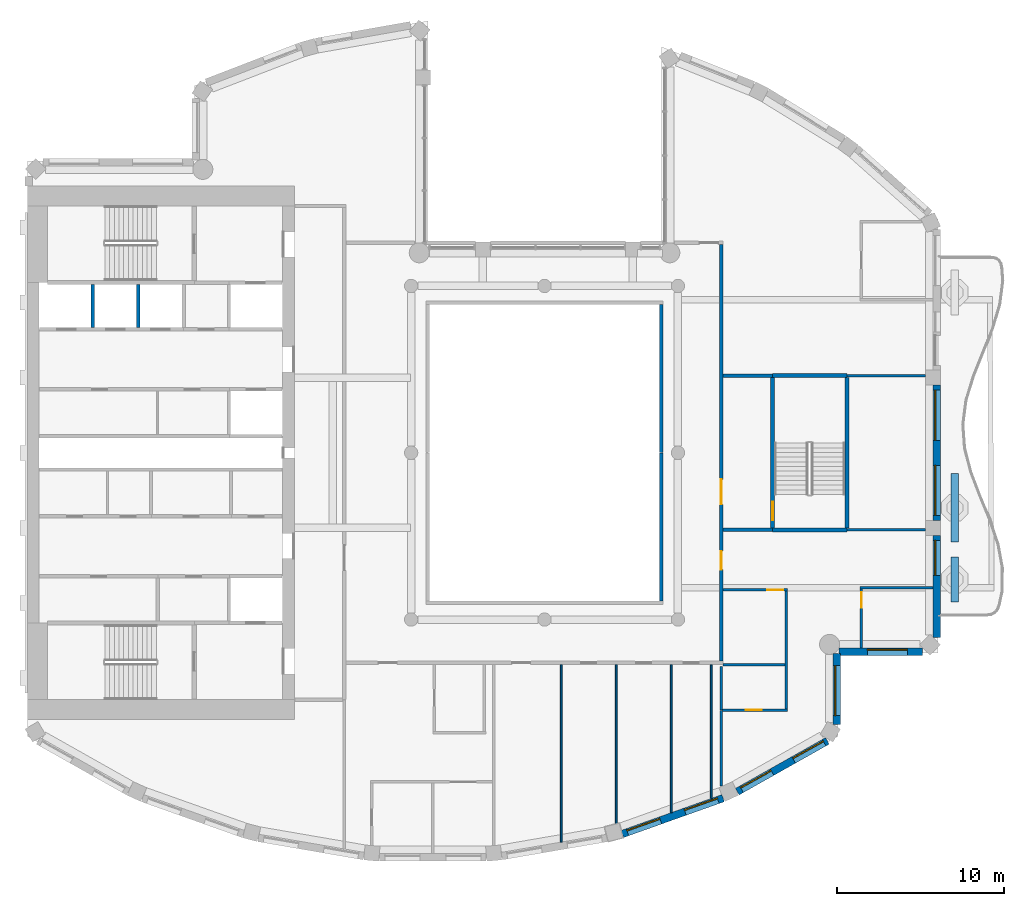
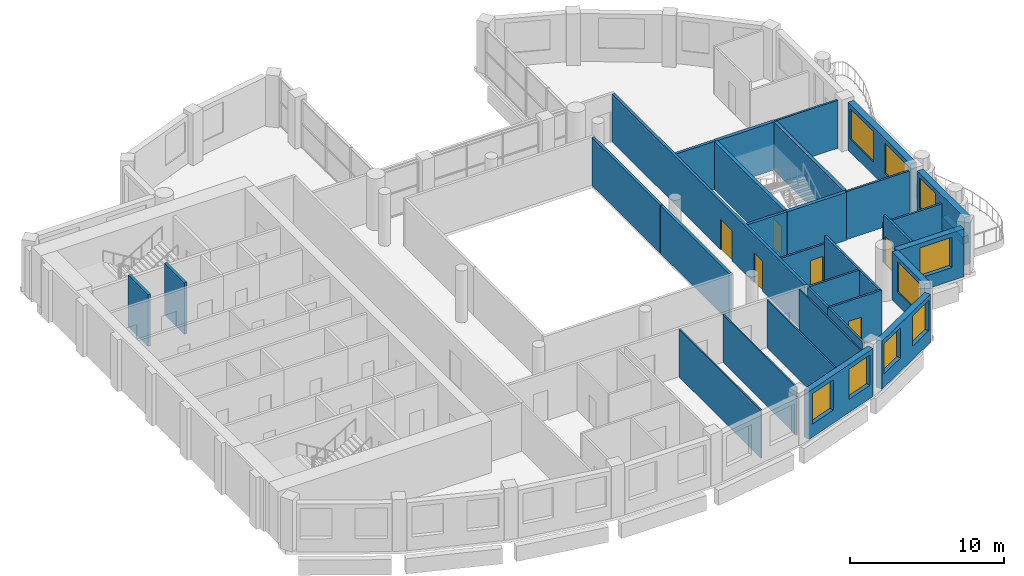
# One storey, part 6 of 15: 33 walls, 9 windows, 6 doors, 15 openings.
"""IFC4 building model written with IfcOpenShell, lengths in metres."""

from ifc_helpers import new_model, si_unit, direction, frame, frame_2d, origin, place, context, subcontext, project, spatial, rectangle, extrude, material, layer, layer_set, type_object, element, fill, save


model = new_model("IFC4")

# Units and contexts
model_context = context("Model", 3, precision=1e-05, world=origin(), true_north=direction((0.0, 1.0)))
body_context = subcontext(model_context, "Body", "Model", "MODEL_VIEW")
ifc_project = project(units=[si_unit("LENGTHUNIT", "METRE"), si_unit("AREAUNIT", "SQUARE_METRE"), si_unit("VOLUMEUNIT", "CUBIC_METRE"), si_unit("PLANEANGLEUNIT", "RADIAN"), si_unit("MASSUNIT", "GRAM", prefix="KILO")], contexts=[model_context])

# Site, building, storey
site_placement = place(None, origin())
site = spatial("IfcSite", under=ifc_project, at=site_placement, CompositionType="ELEMENT")
building_placement = place(site_placement, origin())
building = spatial("IfcBuilding", under=site, at=building_placement, Name="Cypress Arch Tower", CompositionType="ELEMENT")
storey_placement = place(building_placement, frame((0.0, 0.0, 317.199951171875)))
storey = spatial("IfcBuildingStorey", under=building, at=storey_placement, Name="L72", CompositionType="ELEMENT", Elevation=317.199951171875)

# Walls
ifc_material_1 = material(Name="Concrete C40/50, waterproofed", Category="concrete")
ifc_layer_1 = layer(ifc_material_1, 0.449951171875)
ifc_layer_set_1 = layer_set([ifc_layer_1], Name="Balcony planter wall PW450")
wall_type_1 = type_object("IfcWallType", Name="Balcony planter wall PW450", PredefinedType="SOLIDWALL", material=ifc_layer_set_1)
wall_1_placement = place(storey_placement, frame((25.60009765625, -8.949951171875, 0.0), z_axis=(0.0, 0.0, 1.0), x_axis=(0.0, 1.0, 0.0)))
element("IfcWall", 1, at=wall_1_placement, inside=storey, type_object=wall_type_1, Name="Balcony planter wall L72-C17.1", PredefinedType="SOLIDWALL", context=body_context, shape_type="SweptSolid", body=[
    extrude(rectangle(XDim=2.699951171875, YDim=0.449951171875, at=frame_2d((1.35009765625, 0.0))), origin(), (0.0, 0.0, 1.0), 0.60009765625),
])
wall_2_placement = place(storey_placement, frame((25.60009765625, -5.35009765625, 0.0), z_axis=(0.0, 0.0, 1.0), x_axis=(0.0, 1.0, 0.0)))
element("IfcWall", 2, at=wall_2_placement, inside=storey, type_object=wall_type_1, Name="Balcony planter wall L72-C17.2", PredefinedType="SOLIDWALL", context=body_context, shape_type="SweptSolid", body=[
    extrude(rectangle(XDim=4.10009765625, YDim=0.449951171875, at=frame_2d((2.050048828125, 0.0))), origin(), (0.0, 0.0, 1.0), 0.60009765625),
])

# Wall, openings, windows
ifc_material_2 = material(Name="Brick (red buff blend)", Category="masonry")
ifc_layer_2 = layer(ifc_material_2, 0.449951171875)
ifc_layer_set_2 = layer_set([ifc_layer_2], Name="Brick pier and spandrel wall BW450")
wall_type_2 = type_object("IfcWallType", Name="Brick pier and spandrel wall BW450", PredefinedType="SOLIDWALL", material=ifc_layer_set_2)
wall_3_placement = place(storey_placement, frame((5.66455078125, -22.859375, 0.0), z_axis=(0.0, 0.0, 1.0), x_axis=(0.942108340262, 0.335308626803, 0.0)))
wall_3 = element("IfcWall", 3, at=wall_3_placement, inside=storey, type_object=wall_type_2, Name="Brick wall L72 C13.0", PredefinedType="SOLIDWALL", context=body_context, shape_type="SweptSolid", body=[
    extrude(rectangle(XDim=6.41162109375, YDim=0.449951171875, at=frame_2d((3.205810546875, 0.0))), origin(), (0.0, 0.0, 1.0), 3.800048828125),
])
opening_1_placement = place(wall_3_placement, frame((0.3271484375, 0.0, 1.050048828125)))
opening_1 = element("IfcOpeningElement", 4, at=opening_1_placement, cuts=wall_3, Name="Opening W210O", PredefinedType="OPENING", context=body_context, shape_type="SweptSolid", body=[
    extrude(rectangle(XDim=2.10009765625, YDim=2.39990234375, at=frame_2d((1.050048828125, 1.199951171875))), frame((0.0, 0.23486328125, 0.0), z_axis=(0.0, -1.0, 0.0), x_axis=(1.0, 0.0, 0.0)), (0.0, 0.0, 1.0), 0.469970703125),
])
opening_2_placement = place(wall_3_placement, frame((3.984619140625, 0.0, 1.050048828125)))
opening_2 = element("IfcOpeningElement", 5, at=opening_2_placement, cuts=wall_3, Name="Opening W210O", PredefinedType="OPENING", context=body_context, shape_type="SweptSolid", body=[
    extrude(rectangle(XDim=2.10009765625, YDim=2.39990234375, at=frame_2d((1.050048828125, 1.199951171875))), frame((0.0, 0.23486328125, 0.0), z_axis=(0.0, -1.0, 0.0), x_axis=(1.0, 0.0, 0.0)), (0.0, 0.0, 1.0), 0.469970703125),
])
ifc_material_3 = material(Name="Anodised aluminium, bronze finish, clear low-emissivity double glazing", Category="aluminium")
window_type_1 = type_object("IfcWindowType", Name="Window Office 2100x2400", PartitioningType="SINGLE_PANEL", PredefinedType="WINDOW", material=ifc_material_3)
window_1_placement = place(opening_1_placement, origin())
window_1 = element("IfcWindow", 6, at=window_1_placement, inside=storey, type_object=window_type_1, Name="Window L72 C13.0.1", OverallHeight=2.39990234375, OverallWidth=2.10009765625, PartitioningType="SINGLE_PANEL", PredefinedType="WINDOW", context=body_context, shape_type="SweptSolid", body=[
    extrude(rectangle(XDim=2.10009765625, YDim=2.39990234375, at=frame_2d((1.050048828125, 1.199951171875))), frame((0.0, 0.135009765625, 0.0), z_axis=(0.0, -1.0, 0.0), x_axis=(1.0, 0.0, 0.0)), (0.0, 0.0, 1.0), 0.06005859375),
])
fill(opening_1, window_1)
window_2_placement = place(opening_2_placement, origin())
window_2 = element("IfcWindow", 7, at=window_2_placement, inside=storey, type_object=window_type_1, Name="Window L72 C13.0.2", OverallHeight=2.39990234375, OverallWidth=2.10009765625, PartitioningType="SINGLE_PANEL", PredefinedType="WINDOW", context=body_context, shape_type="SweptSolid", body=[
    extrude(rectangle(XDim=2.10009765625, YDim=2.39990234375, at=frame_2d((1.050048828125, 1.199951171875))), frame((0.0, 0.135009765625, 0.0), z_axis=(0.0, -1.0, 0.0), x_axis=(1.0, 0.0, 0.0)), (0.0, 0.0, 1.0), 0.06005859375),
])
fill(opening_2, window_2)

wall_4_placement = place(storey_placement, frame((12.55908203125, -20.320068359375, 0.0), z_axis=(0.0, 0.0, 1.0), x_axis=(0.871065783524, 0.491166367714, 0.0)))
wall_4 = element("IfcWall", 8, at=wall_4_placement, inside=storey, type_object=wall_type_2, Name="Brick wall L72 C14.0", PredefinedType="SOLIDWALL", context=body_context, shape_type="SweptSolid", body=[
    extrude(rectangle(XDim=6.1962890625, YDim=0.449951171875, at=frame_2d((3.09814453125, 0.0))), origin(), (0.0, 0.0, 1.0), 3.800048828125),
])
opening_3_placement = place(wall_4_placement, frame((0.29052734375, 0.0, 1.050048828125)))
opening_3 = element("IfcOpeningElement", 9, at=opening_3_placement, cuts=wall_4, Name="Opening W210O", PredefinedType="OPENING", context=body_context, shape_type="SweptSolid", body=[
    extrude(rectangle(XDim=2.10009765625, YDim=2.39990234375, at=frame_2d((1.050048828125, 1.199951171875))), frame((0.0, 0.23486328125, 0.0), z_axis=(0.0, -1.0, 0.0), x_axis=(1.0, 0.0, 0.0)), (0.0, 0.0, 1.0), 0.469970703125),
])
opening_4_placement = place(wall_4_placement, frame((3.875244140625, 0.0, 1.050048828125)))
opening_4 = element("IfcOpeningElement", 10, at=opening_4_placement, cuts=wall_4, Name="Opening W210O", PredefinedType="OPENING", context=body_context, shape_type="SweptSolid", body=[
    extrude(rectangle(XDim=2.10009765625, YDim=2.39990234375, at=frame_2d((1.050048828125, 1.199951171875))), frame((0.0, 0.23486328125, 0.0), z_axis=(0.0, -1.0, 0.0), x_axis=(1.0, 0.0, 0.0)), (0.0, 0.0, 1.0), 0.469970703125),
])
window_3_placement = place(opening_3_placement, origin())
window_3 = element("IfcWindow", 11, at=window_3_placement, inside=storey, type_object=window_type_1, Name="Window L72 C14.0.1", OverallHeight=2.39990234375, OverallWidth=2.10009765625, PartitioningType="SINGLE_PANEL", PredefinedType="WINDOW", context=body_context, shape_type="SweptSolid", body=[
    extrude(rectangle(XDim=2.10009765625, YDim=2.39990234375, at=frame_2d((1.050048828125, 1.199951171875))), frame((0.0, 0.135009765625, 0.0), z_axis=(0.0, -1.0, 0.0), x_axis=(1.0, 0.0, 0.0)), (0.0, 0.0, 1.0), 0.06005859375),
])
fill(opening_3, window_3)
window_4_placement = place(opening_4_placement, origin())
window_4 = element("IfcWindow", 12, at=window_4_placement, inside=storey, type_object=window_type_1, Name="Window L72 C14.0.2", OverallHeight=2.39990234375, OverallWidth=2.10009765625, PartitioningType="SINGLE_PANEL", PredefinedType="WINDOW", context=body_context, shape_type="SweptSolid", body=[
    extrude(rectangle(XDim=2.10009765625, YDim=2.39990234375, at=frame_2d((1.050048828125, 1.199951171875))), frame((0.0, 0.135009765625, 0.0), z_axis=(0.0, -1.0, 0.0), x_axis=(1.0, 0.0, 0.0)), (0.0, 0.0, 1.0), 0.06005859375),
])
fill(opening_4, window_4)

# Wall, opening, window
wall_5_placement = place(storey_placement, frame((18.52490234375, -16.3037109375, 0.0), z_axis=(0.0, 0.0, 1.0), x_axis=(0.0, 1.0, 0.0)))
wall_5 = element("IfcWall", 13, at=wall_5_placement, inside=storey, type_object=wall_type_2, Name="Brick wall L72 C15.0", PredefinedType="SOLIDWALL", context=body_context, shape_type="SweptSolid", body=[
    extrude(rectangle(XDim=4.25537109375, YDim=0.449951171875, at=frame_2d((2.127685546875, 0.0))), origin(), (0.0, 0.0, 1.0), 3.800048828125),
])
opening_5_placement = place(wall_5_placement, frame((0.541259765625, 0.0, 1.050048828125)))
opening_5 = element("IfcOpeningElement", 14, at=opening_5_placement, cuts=wall_5, Name="Opening W300O", PredefinedType="OPENING", context=body_context, shape_type="SweptSolid", body=[
    extrude(rectangle(XDim=3.0, YDim=2.39990234375, at=frame_2d((1.5, 1.199951171875))), frame((0.0, 0.23486328125, 0.0), z_axis=(0.0, -1.0, 0.0), x_axis=(1.0, 0.0, 0.0)), (0.0, 0.0, 1.0), 0.469970703125),
])
ifc_material_4 = material(Name="Anodised aluminium, bronze finish, clear low-emissivity double glazing", Category="aluminium")
window_type_2 = type_object("IfcWindowType", Name="Window Office 3000x2400", PartitioningType="SINGLE_PANEL", PredefinedType="WINDOW", material=ifc_material_4)
window_5_placement = place(opening_5_placement, origin())
window_5 = element("IfcWindow", 15, at=window_5_placement, inside=storey, type_object=window_type_2, Name="Window L72 C15.0.1", OverallHeight=2.39990234375, OverallWidth=3.0, PartitioningType="SINGLE_PANEL", PredefinedType="WINDOW", context=body_context, shape_type="SweptSolid", body=[
    extrude(rectangle(XDim=3.0, YDim=2.39990234375, at=frame_2d((1.5, 1.199951171875))), frame((0.0, 0.135009765625, 0.0), z_axis=(0.0, -1.0, 0.0), x_axis=(1.0, 0.0, 0.0)), (0.0, 0.0, 1.0), 0.06005859375),
])
fill(opening_5, window_5)

wall_6_placement = place(storey_placement, frame((18.6484375, -11.925048828125, 0.0), z_axis=(0.0, 0.0, 1.0), x_axis=(1.0, 0.0, 0.0)))
wall_6 = element("IfcWall", 16, at=wall_6_placement, inside=storey, type_object=wall_type_2, Name="Brick wall L72 C16.0", PredefinedType="SOLIDWALL", context=body_context, shape_type="SweptSolid", body=[
    extrude(rectangle(XDim=5.01513671875, YDim=0.449951171875, at=frame_2d((2.507568359375, 0.0))), origin(), (0.0, 0.0, 1.0), 3.800048828125),
])
opening_6_placement = place(wall_6_placement, frame((1.70166015625, 0.0, 1.050048828125)))
opening_6 = element("IfcOpeningElement", 17, at=opening_6_placement, cuts=wall_6, Name="Opening W240O", PredefinedType="OPENING", context=body_context, shape_type="SweptSolid", body=[
    extrude(rectangle(XDim=2.39990234375, YDim=2.39990234375, at=frame_2d((1.199951171875, 1.199951171875))), frame((0.0, 0.23486328125, 0.0), z_axis=(0.0, -1.0, 0.0), x_axis=(1.0, 0.0, 0.0)), (0.0, 0.0, 1.0), 0.469970703125),
])
ifc_material_5 = material(Name="Anodised aluminium, bronze finish, clear low-emissivity double glazing", Category="aluminium")
window_type_3 = type_object("IfcWindowType", Name="Window Office 2400x2400", PartitioningType="SINGLE_PANEL", PredefinedType="WINDOW", material=ifc_material_5)
window_6_placement = place(opening_6_placement, origin())
window_6 = element("IfcWindow", 18, at=window_6_placement, inside=storey, type_object=window_type_3, Name="Window L72 C16.0.1", OverallHeight=2.39990234375, OverallWidth=2.39990234375, PartitioningType="SINGLE_PANEL", PredefinedType="WINDOW", context=body_context, shape_type="SweptSolid", body=[
    extrude(rectangle(XDim=2.39990234375, YDim=2.39990234375, at=frame_2d((1.199951171875, 1.199951171875))), frame((0.0, 0.135009765625, 0.0), z_axis=(0.0, -1.0, 0.0), x_axis=(1.0, 0.0, 0.0)), (0.0, 0.0, 1.0), 0.06005859375),
])
fill(opening_6, window_6)

wall_7_placement = place(storey_placement, frame((24.52490234375, -11.063720703125, 0.0), z_axis=(0.0, 0.0, 1.0), x_axis=(0.0, 1.0, 0.0)))
wall_7 = element("IfcWall", 19, at=wall_7_placement, inside=storey, type_object=wall_type_2, Name="Brick wall L72 C17.0", PredefinedType="SOLIDWALL", context=body_context, shape_type="SweptSolid", body=[
    extrude(rectangle(XDim=6.11376953125, YDim=0.449951171875, at=frame_2d((3.056884765625, 0.0))), origin(), (0.0, 0.0, 1.0), 3.800048828125),
])
opening_7_placement = place(wall_7_placement, frame((3.713623046875, 0.0, 1.050048828125)))
opening_7 = element("IfcOpeningElement", 20, at=opening_7_placement, cuts=wall_7, Name="Opening W210OD", PredefinedType="OPENING", context=body_context, shape_type="SweptSolid", body=[
    extrude(rectangle(XDim=2.10009765625, YDim=2.39990234375, at=frame_2d((1.050048828125, 1.199951171875))), frame((0.0, 0.23486328125, 0.0), z_axis=(0.0, -1.0, 0.0), x_axis=(1.0, 0.0, 0.0)), (0.0, 0.0, 1.0), 0.469970703125),
])
ifc_material_6 = material(Name="Anodised aluminium, bronze finish, laminated low-emissivity double glazing, large-missile impact rated", Category="aluminium")
window_type_4 = type_object("IfcWindowType", Name="Window Office 2100x2400 debris-rated", PartitioningType="SINGLE_PANEL", PredefinedType="WINDOW", material=ifc_material_6)
window_7_placement = place(opening_7_placement, origin())
window_7 = element("IfcWindow", 21, at=window_7_placement, inside=storey, type_object=window_type_4, Name="Window L72 C17.0.2", OverallHeight=2.39990234375, OverallWidth=2.10009765625, PartitioningType="SINGLE_PANEL", PredefinedType="WINDOW", context=body_context, shape_type="SweptSolid", body=[
    extrude(rectangle(XDim=2.10009765625, YDim=2.39990234375, at=frame_2d((1.050048828125, 1.199951171875))), frame((0.0, 0.135009765625, 0.0), z_axis=(0.0, -1.0, 0.0), x_axis=(1.0, 0.0, 0.0)), (0.0, 0.0, 1.0), 0.06005859375),
])
fill(opening_7, window_7)

# Wall, openings, windows
wall_8_placement = place(storey_placement, frame((24.52490234375, -4.050048828125, 0.0), z_axis=(0.0, 0.0, 1.0), x_axis=(0.0, 1.0, 0.0)))
wall_8 = element("IfcWall", 22, at=wall_8_placement, inside=storey, type_object=wall_type_2, Name="Brick wall L72 C17.1", PredefinedType="SOLIDWALL", context=body_context, shape_type="SweptSolid", body=[
    extrude(rectangle(XDim=8.10009765625, YDim=0.449951171875, at=frame_2d((4.050048828125, 0.0))), origin(), (0.0, 0.0, 1.0), 3.800048828125),
])
opening_8_placement = place(wall_8_placement, frame((0.300048828125, 0.0, 1.050048828125)))
opening_8 = element("IfcOpeningElement", 23, at=opening_8_placement, cuts=wall_8, Name="Opening W300OD", PredefinedType="OPENING", context=body_context, shape_type="SweptSolid", body=[
    extrude(rectangle(XDim=3.0, YDim=2.39990234375, at=frame_2d((1.5, 1.199951171875))), frame((0.0, 0.23486328125, 0.0), z_axis=(0.0, -1.0, 0.0), x_axis=(1.0, 0.0, 0.0)), (0.0, 0.0, 1.0), 0.469970703125),
])
opening_9_placement = place(wall_8_placement, frame((4.800048828125, 0.0, 1.050048828125)))
opening_9 = element("IfcOpeningElement", 24, at=opening_9_placement, cuts=wall_8, Name="Opening W300OD", PredefinedType="OPENING", context=body_context, shape_type="SweptSolid", body=[
    extrude(rectangle(XDim=3.0, YDim=2.39990234375, at=frame_2d((1.5, 1.199951171875))), frame((0.0, 0.23486328125, 0.0), z_axis=(0.0, -1.0, 0.0), x_axis=(1.0, 0.0, 0.0)), (0.0, 0.0, 1.0), 0.469970703125),
])
ifc_material_7 = material(Name="Anodised aluminium, bronze finish, laminated low-emissivity double glazing, large-missile impact rated", Category="aluminium")
window_type_5 = type_object("IfcWindowType", Name="Window Office 3000x2400 debris-rated", PartitioningType="SINGLE_PANEL", PredefinedType="WINDOW", material=ifc_material_7)
window_8_placement = place(opening_8_placement, origin())
window_8 = element("IfcWindow", 25, at=window_8_placement, inside=storey, type_object=window_type_5, Name="Window L72 C17.1.1", OverallHeight=2.39990234375, OverallWidth=3.0, PartitioningType="SINGLE_PANEL", PredefinedType="WINDOW", context=body_context, shape_type="SweptSolid", body=[
    extrude(rectangle(XDim=3.0, YDim=2.39990234375, at=frame_2d((1.5, 1.199951171875))), frame((0.0, 0.135009765625, 0.0), z_axis=(0.0, -1.0, 0.0), x_axis=(1.0, 0.0, 0.0)), (0.0, 0.0, 1.0), 0.06005859375),
])
fill(opening_8, window_8)
window_9_placement = place(opening_9_placement, origin())
window_9 = element("IfcWindow", 26, at=window_9_placement, inside=storey, type_object=window_type_5, Name="Window L72 C17.1.2", OverallHeight=2.39990234375, OverallWidth=3.0, PartitioningType="SINGLE_PANEL", PredefinedType="WINDOW", context=body_context, shape_type="SweptSolid", body=[
    extrude(rectangle(XDim=3.0, YDim=2.39990234375, at=frame_2d((1.5, 1.199951171875))), frame((0.0, 0.135009765625, 0.0), z_axis=(0.0, -1.0, 0.0), x_axis=(1.0, 0.0, 0.0)), (0.0, 0.0, 1.0), 0.06005859375),
])
fill(opening_9, window_9)

# Walls
ifc_material_8 = material(Name="Concrete blockwork, plastered, rated", Category="masonry")
ifc_layer_3 = layer(ifc_material_8, 0.199951171875)
ifc_layer_set_3 = layer_set([ifc_layer_3], Name="Corridor wall FW200")
wall_type_3 = type_object("IfcWallType", Name="Corridor wall FW200", PredefinedType="PARTITIONING", material=ifc_layer_set_3)
for number, where, z_axis, x_axis, name in (
    (27, (8.0, -8.89990234375, 0.0), (0.0, 0.0, 1.0), (0.0, 1.0, 0.0), "Corridor wall"),
    (28, (8.0, 0.02001953125, 0.0), (0.0, 0.0, 1.0), (0.0, 1.0, 0.0), "Corridor wall"),
):
    element("IfcWall", number, at=place(storey_placement, frame(where, z_axis=z_axis, x_axis=x_axis)), inside=storey, type_object=wall_type_3, Name=name, PredefinedType="PARTITIONING", context=body_context, shape_type="SweptSolid", body=[
        extrude(rectangle(XDim=8.8798828125, YDim=0.199951171875, at=frame_2d((4.43994140625, 0.0))), origin(), (0.0, 0.0, 1.0), 3.800048828125),
    ])

# Wall, openings, doors
wall_9_placement = place(storey_placement, frame((11.60009765625, -12.5, 0.0), z_axis=(0.0, 0.0, 1.0), x_axis=(0.0, 1.0, 0.0)))
wall_9 = element("IfcWall", 29, at=wall_9_placement, inside=storey, type_object=wall_type_3, Name="Corridor wall", PredefinedType="PARTITIONING", context=body_context, shape_type="SweptSolid", body=[
    extrude(rectangle(XDim=25.0, YDim=0.199951171875, at=frame_2d((12.5, 0.0))), origin(), (0.0, 0.0, 1.0), 3.800048828125),
])
opening_10_placement = place(wall_9_placement, frame((9.39990234375, 0.0, 0.0)))
opening_10 = element("IfcOpeningElement", 30, at=opening_10_placement, cuts=wall_9, Name="Opening D07", PredefinedType="OPENING", context=body_context, shape_type="SweptSolid", body=[
    extrude(rectangle(XDim=1.5, YDim=2.39990234375, at=frame_2d((0.75, 1.199951171875))), frame((0.0, 0.10986328125, 0.0), z_axis=(0.0, -1.0, 0.0), x_axis=(1.0, 0.0, 0.0)), (0.0, 0.0, 1.0), 0.219970703125),
])
opening_11_placement = place(wall_9_placement, frame((5.5, 0.0, 0.0)))
opening_11 = element("IfcOpeningElement", 31, at=opening_11_placement, cuts=wall_9, Name="Opening D01", PredefinedType="OPENING", context=body_context, shape_type="SweptSolid", body=[
    extrude(rectangle(XDim=1.10009765625, YDim=2.39990234375, at=frame_2d((0.550048828125, 1.199951171875))), frame((0.0, 0.10986328125, 0.0), z_axis=(0.0, -1.0, 0.0), x_axis=(1.0, 0.0, 0.0)), (0.0, 0.0, 1.0), 0.219970703125),
])
ifc_material_9 = material(Name="Steel framed glazed door, fire resisting", Category="steel")
door_type_1 = type_object("IfcDoorType", Name="Lobby door D07 1500x2400", OperationType="DOUBLE_DOOR_SINGLE_SWING", PredefinedType="DOOR", material=ifc_material_9)
door_1_placement = place(opening_10_placement, origin())
door_1 = element("IfcDoor", 32, at=door_1_placement, inside=storey, type_object=door_type_1, Name="Lobby door", OperationType="DOUBLE_DOOR_SINGLE_SWING", OverallHeight=2.39990234375, OverallWidth=1.5, PredefinedType="DOOR", context=body_context, shape_type="SweptSolid", body=[
    extrude(rectangle(XDim=1.5, YDim=2.39990234375, at=frame_2d((0.75, 1.199951171875))), frame((0.0, 0.02490234375, 0.0), z_axis=(0.0, -1.0, 0.0), x_axis=(1.0, 0.0, 0.0)), (0.0, 0.0, 1.0), 0.050048828125),
])
fill(opening_10, door_1)
ifc_material_10 = material(Name="Timber flush door, fire resisting, self-closing", Category="wood")
door_type_2 = type_object("IfcDoorType", Name="Unit entrance door D01 1100x2400", OperationType="SINGLE_SWING_LEFT", PredefinedType="DOOR", material=ifc_material_10)
door_2_placement = place(opening_11_placement, origin())
door_2 = element("IfcDoor", 33, at=door_2_placement, inside=storey, type_object=door_type_2, Name="Unit entrance door", OperationType="SINGLE_SWING_RIGHT", OverallHeight=2.39990234375, OverallWidth=1.10009765625, PredefinedType="DOOR", context=body_context, shape_type="SweptSolid", body=[
    extrude(rectangle(XDim=1.10009765625, YDim=2.39990234375, at=frame_2d((0.550048828125, 1.199951171875))), frame((0.0, 0.02490234375, 0.0), z_axis=(0.0, -1.0, 0.0), x_axis=(1.0, 0.0, 0.0)), (0.0, 0.0, 1.0), 0.050048828125),
])
fill(opening_11, door_2)

# Walls
for number, where, z_axis, x_axis, name in (
    (34, (11.699951171875, -4.625, 0.0), (0.0, 0.0, 1.0), (1.0, 0.0, 0.0), "Corridor wall"),
    (35, (11.699951171875, 4.625, 0.0), (0.0, 0.0, 1.0), (1.0, 0.0, 0.0), "Corridor wall"),
):
    element("IfcWall", number, at=place(storey_placement, frame(where, z_axis=z_axis, x_axis=x_axis)), inside=storey, type_object=wall_type_3, Name=name, PredefinedType="PARTITIONING", context=body_context, shape_type="SweptSolid", body=[
        extrude(rectangle(XDim=2.97509765625, YDim=0.199951171875, at=frame_2d((1.487548828125, 0.0))), origin(), (0.0, 0.0, 1.0), 3.800048828125),
    ])
ifc_material_11 = material(Name="Blockwork, plastered both sides", Category="masonry")
ifc_layer_4 = layer(ifc_material_11, 0.14990234375)
ifc_layer_set_4 = layer_set([ifc_layer_4], Name="Partition PW150")
wall_type_4 = type_object("IfcWallType", Name="Partition PW150", PredefinedType="PARTITIONING", material=ifc_layer_set_4)
wall_10_placement = place(storey_placement, frame((11.60009765625, -19.98828125, 0.0), z_axis=(0.0, 0.0, 1.0), x_axis=(0.0, 1.0, 0.0)))
element("IfcWall", 36, at=wall_10_placement, inside=storey, type_object=wall_type_4, Name="Partition", PredefinedType="PARTITIONING", context=body_context, shape_type="SweptSolid", body=[
    extrude(rectangle(XDim=4.543212890625, YDim=0.14990234375, at=frame_2d((2.271484375, 0.0))), origin(), (0.0, 0.0, 1.0), 3.800048828125),
])
wall_11_placement = place(storey_placement, frame((11.60009765625, -15.425048828125, 0.0), z_axis=(0.0, 0.0, 1.0), x_axis=(0.0, 1.0, 0.0)))
element("IfcWall", 37, at=wall_11_placement, inside=storey, type_object=wall_type_4, Name="Partition", PredefinedType="PARTITIONING", context=body_context, shape_type="SweptSolid", body=[
    extrude(rectangle(XDim=2.60498046875, YDim=0.14990234375, at=frame_2d((1.302490234375, 0.0))), origin(), (0.0, 0.0, 1.0), 3.800048828125),
])

# Wall, opening, door
wall_12_placement = place(storey_placement, frame((11.675048828125, -15.425048828125, 0.0), z_axis=(0.0, 0.0, 1.0), x_axis=(1.0, 0.0, 0.0)))
wall_12 = element("IfcWall", 38, at=wall_12_placement, inside=storey, type_object=wall_type_4, Name="Partition", PredefinedType="PARTITIONING", context=body_context, shape_type="SweptSolid", body=[
    extrude(rectangle(XDim=3.89990234375, YDim=0.14990234375, at=frame_2d((1.949951171875, 0.0))), origin(), (0.0, 0.0, 1.0), 3.800048828125),
])
opening_12_placement = place(wall_12_placement, frame((1.39990234375, 0.0, 0.0)))
opening_12 = element("IfcOpeningElement", 39, at=opening_12_placement, cuts=wall_12, Name="Opening D12", PredefinedType="OPENING", context=body_context, shape_type="SweptSolid", body=[
    extrude(rectangle(XDim=0.949951171875, YDim=2.199951171875, at=frame_2d((0.47509765625, 1.10009765625))), frame((0.0, 0.0849609375, 0.0), z_axis=(0.0, -1.0, 0.0), x_axis=(1.0, 0.0, 0.0)), (0.0, 0.0, 1.0), 0.169921875),
])
ifc_material_12 = material(Name="Timber flush door", Category="wood")
door_type_3 = type_object("IfcDoorType", Name="Room door D12 950x2200", OperationType="SINGLE_SWING_LEFT", PredefinedType="DOOR", material=ifc_material_12)
door_3_placement = place(opening_12_placement, origin())
door_3 = element("IfcDoor", 40, at=door_3_placement, inside=storey, type_object=door_type_3, Name="Room door", OperationType="SINGLE_SWING_RIGHT", OverallHeight=2.199951171875, OverallWidth=0.949951171875, PredefinedType="DOOR", context=body_context, shape_type="SweptSolid", body=[
    extrude(rectangle(XDim=0.949951171875, YDim=2.199951171875, at=frame_2d((0.47509765625, 1.10009765625))), frame((0.0, 0.02490234375, 0.0), z_axis=(0.0, -1.0, 0.0), x_axis=(1.0, 0.0, 0.0)), (0.0, 0.0, 1.0), 0.050048828125),
])
fill(opening_12, door_3)

# Wall
wall_13_placement = place(storey_placement, frame((11.699951171875, -12.72509765625, 0.0), z_axis=(0.0, 0.0, 1.0), x_axis=(1.0, 0.0, 0.0)))
element("IfcWall", 41, at=wall_13_placement, inside=storey, type_object=wall_type_4, Name="Partition", PredefinedType="PARTITIONING", context=body_context, shape_type="SweptSolid", body=[
    extrude(rectangle(XDim=3.72509765625, YDim=0.14990234375, at=frame_2d((1.862548828125, 0.0))), origin(), (0.0, 0.0, 1.0), 3.800048828125),
])

# Wall, opening, door
wall_14_placement = place(storey_placement, frame((11.699951171875, -8.22509765625, 0.0), z_axis=(0.0, 0.0, 1.0), x_axis=(1.0, 0.0, 0.0)))
wall_14 = element("IfcWall", 42, at=wall_14_placement, inside=storey, type_object=wall_type_4, Name="Partition", PredefinedType="PARTITIONING", context=body_context, shape_type="SweptSolid", body=[
    extrude(rectangle(XDim=3.875, YDim=0.14990234375, at=frame_2d((1.9375, 0.0))), origin(), (0.0, 0.0, 1.0), 3.150146484375),
])
opening_13_placement = place(wall_14_placement, frame((2.64990234375, 0.0, 0.0)))
opening_13 = element("IfcOpeningElement", 43, at=opening_13_placement, cuts=wall_14, Name="Opening D12", PredefinedType="OPENING", context=body_context, shape_type="SweptSolid", body=[
    extrude(rectangle(XDim=0.949951171875, YDim=2.199951171875, at=frame_2d((0.47509765625, 1.10009765625))), frame((0.0, 0.0849609375, 0.0), z_axis=(0.0, -1.0, 0.0), x_axis=(1.0, 0.0, 0.0)), (0.0, 0.0, 1.0), 0.169921875),
])
door_4_placement = place(opening_13_placement, origin())
door_4 = element("IfcDoor", 44, at=door_4_placement, inside=storey, type_object=door_type_3, Name="Room door", OperationType="SINGLE_SWING_LEFT", OverallHeight=2.199951171875, OverallWidth=0.949951171875, PredefinedType="DOOR", context=body_context, shape_type="SweptSolid", body=[
    extrude(rectangle(XDim=0.949951171875, YDim=2.199951171875, at=frame_2d((0.47509765625, 1.10009765625))), frame((0.0, 0.02490234375, 0.0), z_axis=(0.0, -1.0, 0.0), x_axis=(1.0, 0.0, 0.0)), (0.0, 0.0, 1.0), 0.050048828125),
])
fill(opening_13, door_4)

# Walls
wall_15_placement = place(storey_placement, frame((15.5, -15.35009765625, 0.0), z_axis=(0.0, 0.0, 1.0), x_axis=(0.0, 1.0, 0.0)))
element("IfcWall", 45, at=wall_15_placement, inside=storey, type_object=wall_type_4, Name="Partition", PredefinedType="PARTITIONING", context=body_context, shape_type="SweptSolid", body=[
    extrude(rectangle(XDim=7.050048828125, YDim=0.14990234375, at=frame_2d((3.52490234375, 0.0))), origin(), (0.0, 0.0, 1.0), 3.800048828125),
])
for number, where, z_axis, x_axis, name in (
    (46, (19.14501953125, -4.625, 0.0), (0.0, 0.0, 1.0), (1.0, 0.0, 0.0), "Partition"),
    (47, (19.14501953125, 4.625, 0.0), (0.0, 0.0, 1.0), (1.0, 0.0, 0.0), "Partition"),
):
    element("IfcWall", number, at=place(storey_placement, frame(where, z_axis=z_axis, x_axis=x_axis)), inside=storey, type_object=wall_type_4, Name=name, PredefinedType="PARTITIONING", context=body_context, shape_type="SweptSolid", body=[
        extrude(rectangle(XDim=4.705078125, YDim=0.14990234375, at=frame_2d((2.3525390625, 0.0))), origin(), (0.0, 0.0, 1.0), 3.800048828125),
    ])

# Wall, opening, door
wall_16_placement = place(storey_placement, frame((20.0, -11.699951171875, 0.0), z_axis=(0.0, 0.0, 1.0), x_axis=(0.0, 1.0, 0.0)))
wall_16 = element("IfcWall", 48, at=wall_16_placement, inside=storey, type_object=wall_type_4, Name="Partition", PredefinedType="PARTITIONING", context=body_context, shape_type="SweptSolid", body=[
    extrude(rectangle(XDim=3.52490234375, YDim=0.14990234375, at=frame_2d((1.762451171875, 0.0))), origin(), (0.0, 0.0, 1.0), 3.800048828125),
])
opening_14_placement = place(wall_16_placement, frame((2.39990234375, 0.0, 0.0)))
opening_14 = element("IfcOpeningElement", 49, at=opening_14_placement, cuts=wall_16, Name="Opening D12", PredefinedType="OPENING", context=body_context, shape_type="SweptSolid", body=[
    extrude(rectangle(XDim=0.949951171875, YDim=2.199951171875, at=frame_2d((0.47509765625, 1.10009765625))), frame((0.0, 0.0849609375, 0.0), z_axis=(0.0, -1.0, 0.0), x_axis=(1.0, 0.0, 0.0)), (0.0, 0.0, 1.0), 0.169921875),
])
door_5_placement = place(opening_14_placement, origin())
door_5 = element("IfcDoor", 50, at=door_5_placement, inside=storey, type_object=door_type_3, Name="Room door", OperationType="SINGLE_SWING_RIGHT", OverallHeight=2.199951171875, OverallWidth=0.949951171875, PredefinedType="DOOR", context=body_context, shape_type="SweptSolid", body=[
    extrude(rectangle(XDim=0.949951171875, YDim=2.199951171875, at=frame_2d((0.47509765625, 1.10009765625))), frame((0.0, 0.02490234375, 0.0), z_axis=(0.0, -1.0, 0.0), x_axis=(1.0, 0.0, 0.0)), (0.0, 0.0, 1.0), 0.050048828125),
])
fill(opening_14, door_5)

# Walls
wall_17_placement = place(storey_placement, frame((19.925048828125, -8.10009765625, 0.0), z_axis=(0.0, 0.0, 1.0), x_axis=(1.0, 0.0, 0.0)))
element("IfcWall", 51, at=wall_17_placement, inside=storey, type_object=wall_type_4, Name="Partition", PredefinedType="PARTITIONING", context=body_context, shape_type="SweptSolid", body=[
    extrude(rectangle(XDim=4.375, YDim=0.14990234375, at=frame_2d((2.1875, 0.0))), origin(), (0.0, 0.0, 1.0), 3.150146484375),
])
ifc_material_13 = material(Name="Concrete C50/60", Category="concrete")
ifc_layer_5 = layer(ifc_material_13, 0.199951171875)
ifc_layer_set_5 = layer_set([ifc_layer_5], Name="Shaft wall SH200")
wall_type_5 = type_object("IfcWallType", Name="Shaft wall SH200", PredefinedType="SHEAR", material=ifc_layer_set_5)
for number, where, z_axis, x_axis, name in (
    (52, (-26.080078125, 7.5, 0.0), (0.0, 0.0, 1.0), (0.0, 1.0, 0.0), "Shaft wall"),
    (53, (-23.360107421875, 7.5, 0.0), (0.0, 0.0, 1.0), (0.0, 1.0, 0.0), "Shaft wall"),
):
    element("IfcWall", number, at=place(storey_placement, frame(where, z_axis=z_axis, x_axis=x_axis)), inside=storey, type_object=wall_type_5, Name=name, PredefinedType="SHEAR", context=body_context, shape_type="SweptSolid", body=[
        extrude(rectangle(XDim=2.574951171875, YDim=0.199951171875, at=frame_2d((1.28759765625, 0.0))), origin(), (0.0, 0.0, 1.0), 4.10009765625),
    ])

# Wall, opening, door
ifc_material_14 = material(Name="Concrete C50/60", Category="concrete")
ifc_layer_6 = layer(ifc_material_14, 0.25)
ifc_layer_set_6 = layer_set([ifc_layer_6], Name="Stair enclosure wall SW250")
wall_type_6 = type_object("IfcWallType", Name="Stair enclosure wall SW250", PredefinedType="SHEAR", material=ifc_layer_set_6)
wall_18_placement = place(storey_placement, frame((14.675048828125, -4.5, 0.0), z_axis=(0.0, 0.0, 1.0), x_axis=(0.0, 1.0, 0.0)))
wall_18 = element("IfcWall", 54, at=wall_18_placement, inside=storey, type_object=wall_type_6, Name="Stair enclosure wall", PredefinedType="SHEAR", context=body_context, shape_type="SweptSolid", body=[
    extrude(rectangle(XDim=9.0, YDim=0.25, at=frame_2d((4.5, 0.0))), origin(), (0.0, 0.0, 1.0), 3.800048828125),
])
opening_15_placement = place(wall_18_placement, frame((0.449951171875, 0.0, 0.0)))
opening_15 = element("IfcOpeningElement", 55, at=opening_15_placement, cuts=wall_18, Name="Opening D06", PredefinedType="OPENING", context=body_context, shape_type="SweptSolid", body=[
    extrude(rectangle(XDim=1.10009765625, YDim=2.199951171875, at=frame_2d((0.550048828125, 1.10009765625))), frame((0.0, 0.135009765625, 0.0), z_axis=(0.0, -1.0, 0.0), x_axis=(1.0, 0.0, 0.0)), (0.0, 0.0, 1.0), 0.27001953125),
])
ifc_material_15 = material(Name="Steel door, fire resisting, panic bar", Category="steel")
door_type_4 = type_object("IfcDoorType", Name="Stair door D06 1100x2200", OperationType="SINGLE_SWING_LEFT", PredefinedType="DOOR", material=ifc_material_15)
door_6_placement = place(opening_15_placement, origin())
door_6 = element("IfcDoor", 56, at=door_6_placement, inside=storey, type_object=door_type_4, Name="Stair door", OperationType="SINGLE_SWING_RIGHT", OverallHeight=2.199951171875, OverallWidth=1.10009765625, PredefinedType="DOOR", context=body_context, shape_type="SweptSolid", body=[
    extrude(rectangle(XDim=1.10009765625, YDim=2.199951171875, at=frame_2d((0.550048828125, 1.10009765625))), frame((0.0, 0.02490234375, 0.0), z_axis=(0.0, -1.0, 0.0), x_axis=(1.0, 0.0, 0.0)), (0.0, 0.0, 1.0), 0.050048828125),
])
fill(opening_15, door_6)

# Walls
for number, where, z_axis, x_axis, name in (
    (57, (14.675048828125, -4.625, 0.0), (0.0, 0.0, 1.0), (1.0, 0.0, 0.0), "Stair enclosure wall"),
    (58, (14.675048828125, 4.625, 0.0), (0.0, 0.0, 1.0), (1.0, 0.0, 0.0), "Stair enclosure wall"),
):
    element("IfcWall", number, at=place(storey_placement, frame(where, z_axis=z_axis, x_axis=x_axis)), inside=storey, type_object=wall_type_6, Name=name, PredefinedType="SHEAR", context=body_context, shape_type="SweptSolid", body=[
        extrude(rectangle(XDim=4.449951171875, YDim=0.25, at=frame_2d((2.22509765625, 0.0))), origin(), (0.0, 0.0, 1.0), 3.800048828125),
    ])
wall_19_placement = place(storey_placement, frame((19.125, -4.5, 0.0), z_axis=(0.0, 0.0, 1.0), x_axis=(0.0, 1.0, 0.0)))
element("IfcWall", 59, at=wall_19_placement, inside=storey, type_object=wall_type_6, Name="Stair enclosure wall", PredefinedType="SHEAR", context=body_context, shape_type="SweptSolid", body=[
    extrude(rectangle(XDim=9.0, YDim=0.25, at=frame_2d((4.5, 0.0))), origin(), (0.0, 0.0, 1.0), 3.800048828125),
])
ifc_material_16 = material(Name="Moisture resistant board on steel studs, tiled", Category="steel")
ifc_layer_7 = layer(ifc_material_16, 0.10009765625)
ifc_layer_set_7 = layer_set([ifc_layer_7], Name="Wet wall PW100")
wall_type_7 = type_object("IfcWallType", Name="Wet wall PW100", PredefinedType="PARTITIONING", material=ifc_layer_set_7)
wall_20_placement = place(storey_placement, frame((2.0, -23.343505859375, 0.0), z_axis=(0.0, 0.0, 1.0), x_axis=(0.0, 1.0, 0.0)))
element("IfcWall", 60, at=wall_20_placement, inside=storey, type_object=wall_type_7, Name="Wet wall", PredefinedType="PARTITIONING", context=body_context, shape_type="SweptSolid", body=[
    extrude(rectangle(XDim=10.6435546875, YDim=0.10009765625, at=frame_2d((5.32177734375, 0.0))), origin(), (0.0, 0.0, 1.0), 3.800048828125),
])
wall_21_placement = place(storey_placement, frame((5.300048828125, -22.24951171875, 0.0), z_axis=(0.0, 0.0, 1.0), x_axis=(0.0, 1.0, 0.0)))
element("IfcWall", 61, at=wall_21_placement, inside=storey, type_object=wall_type_7, Name="Wet wall", PredefinedType="PARTITIONING", context=body_context, shape_type="SweptSolid", body=[
    extrude(rectangle(XDim=9.549560546875, YDim=0.10009765625, at=frame_2d((4.77490234375, 0.0))), origin(), (0.0, 0.0, 1.0), 3.800048828125),
])
wall_22_placement = place(storey_placement, frame((8.60009765625, -21.57568359375, 0.0), z_axis=(0.0, 0.0, 1.0), x_axis=(0.0, 1.0, 0.0)))
element("IfcWall", 62, at=wall_22_placement, inside=storey, type_object=wall_type_7, Name="Wet wall", PredefinedType="PARTITIONING", context=body_context, shape_type="SweptSolid", body=[
    extrude(rectangle(XDim=8.875732421875, YDim=0.10009765625, at=frame_2d((4.43798828125, 0.0))), origin(), (0.0, 0.0, 1.0), 3.800048828125),
])
wall_23_placement = place(storey_placement, frame((11.0, -20.721435546875, 0.0), z_axis=(0.0, 0.0, 1.0), x_axis=(0.0, 1.0, 0.0)))
element("IfcWall", 63, at=wall_23_placement, inside=storey, type_object=wall_type_7, Name="Wet wall", PredefinedType="PARTITIONING", context=body_context, shape_type="SweptSolid", body=[
    extrude(rectangle(XDim=8.00146484375, YDim=0.10009765625, at=frame_2d((4.000732421875, 0.0))), origin(), (0.0, 0.0, 1.0), 3.800048828125),
])

save(model, "model.ifc")
